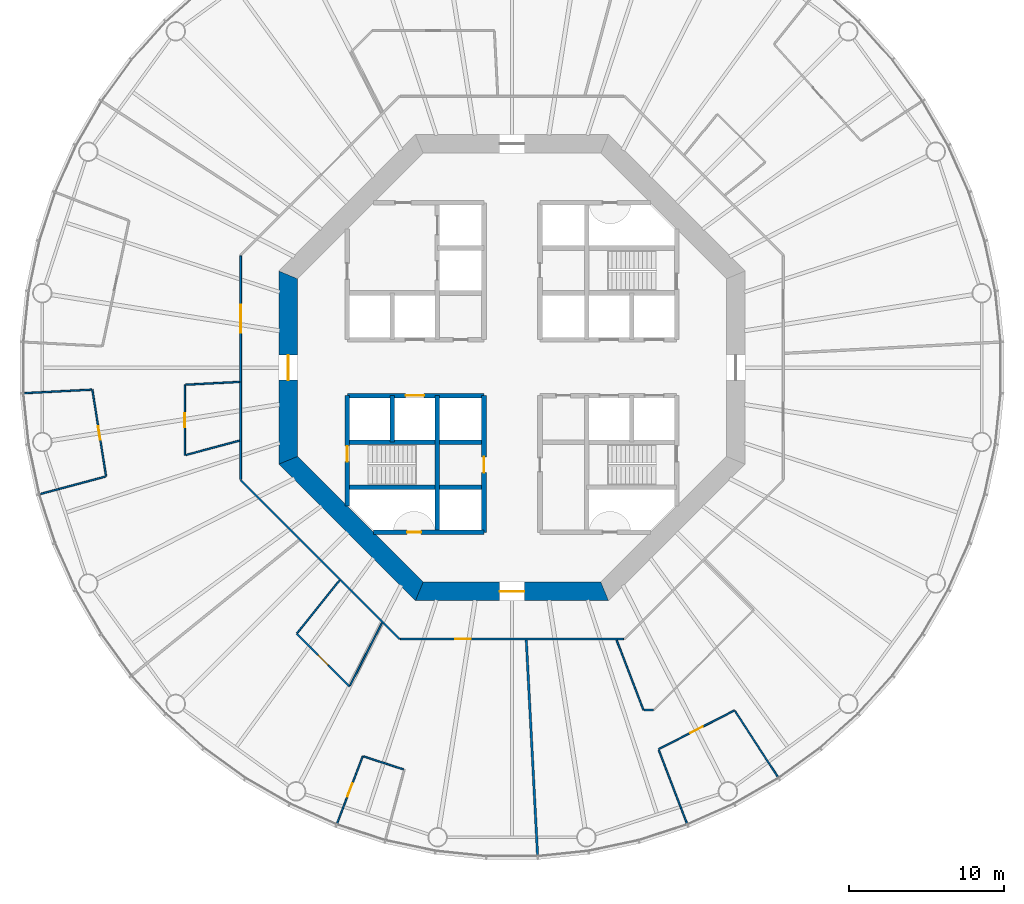
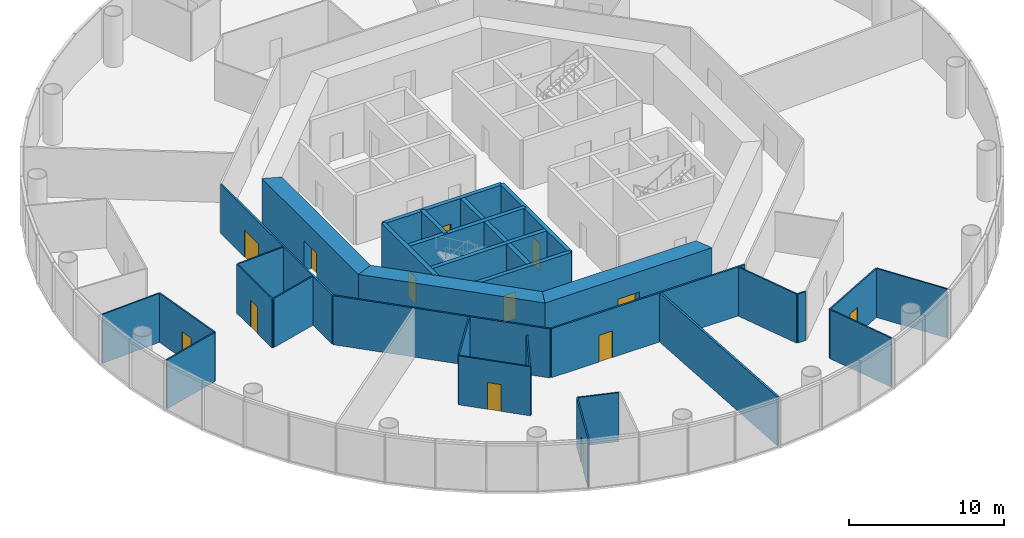
# One storey, part 3 of 13: 31 walls, 13 doors, 13 openings.
"""IFC4 building model written with IfcOpenShell, lengths in metres."""

from ifc_helpers import new_model, si_unit, direction, frame, frame_2d, origin, place, context, subcontext, project, spatial, polyline, rectangle, outline, extrude, material, layer, layer_set, type_object, element, fill, save


model = new_model("IFC4")

# Units and contexts
model_context = context("Model", 3, precision=1e-05, world=origin(), true_north=direction((0.0, 1.0)))
body_context = subcontext(model_context, "Body", "Model", "MODEL_VIEW")
ifc_project = project(units=[si_unit("LENGTHUNIT", "METRE"), si_unit("AREAUNIT", "SQUARE_METRE"), si_unit("VOLUMEUNIT", "CUBIC_METRE"), si_unit("PLANEANGLEUNIT", "RADIAN"), si_unit("MASSUNIT", "GRAM", prefix="KILO")], contexts=[model_context])

# Site, building, storey
site_placement = place(None, origin())
site = spatial("IfcSite", under=ifc_project, at=site_placement, CompositionType="ELEMENT")
building_placement = place(site_placement, origin())
building = spatial("IfcBuilding", under=site, at=building_placement, Name="Entoto Ring Tower", CompositionType="ELEMENT")
storey_placement = place(building_placement, frame((0.0, 0.0, 100.0)))
storey = spatial("IfcBuildingStorey", under=building, at=storey_placement, Name="L22", CompositionType="ELEMENT", Elevation=100.0)

# Wall, opening, door
ifc_material_1 = material(Name="Concrete C40/50", Category="concrete")
ifc_layer_1 = layer(ifc_material_1, 0.300048828125)
ifc_layer_set_1 = layer_set([ifc_layer_1], Name="Concrete C40/50")
wall_type_1 = type_object("IfcWallType", Name="Core enclosure wall 300 mm reinforced concrete", PredefinedType="SOLIDWALL", material=ifc_layer_set_1)
wall_1_placement = place(storey_placement, frame((88.199951171875, 69.39990234375, 0.0), z_axis=(0.0, 0.0, 1.0), x_axis=(0.0, 1.0, 0.0)))
wall_1 = element("IfcWall", 1, at=wall_1_placement, inside=storey, type_object=wall_type_1, Name="wall-L22-009", PredefinedType="SOLIDWALL", context=body_context, shape_type="SweptSolid", body=[
    extrude(rectangle(XDim=8.800048828125, YDim=0.300048828125, at=frame_2d((4.39990234375, 0.0))), origin(), (0.0, 0.0, 1.0), 3.85009765625),
])
opening_1_placement = place(wall_1_placement, frame((3.85009765625, 0.0, 0.0)))
opening_1 = element("IfcOpeningElement", 2, at=opening_1_placement, cuts=wall_1, Name="Opening K-13", PredefinedType="OPENING", context=body_context, shape_type="SweptSolid", body=[
    extrude(rectangle(XDim=1.0, YDim=2.10009765625, at=frame_2d((0.5, 1.050048828125))), frame((0.0, 0.16015625, 0.0), z_axis=(0.0, -1.0, 0.0), x_axis=(1.0, 0.0, 0.0)), (0.0, 0.0, 1.0), 0.320068359375),
])
ifc_material_2 = material(Name="Steel door leaf, fire rated", Category="steel")
ifc_layer_2 = layer(ifc_material_2, 0.050048828125)
ifc_layer_set_2 = layer_set([ifc_layer_2], Name="Steel door leaf, fire rated")
door_type_1 = type_object("IfcDoorType", Name="Accessible door 1000 x 2100 single leaf", OperationType="NOTDEFINED", PredefinedType="DOOR", material=ifc_layer_set_2)
door_1_placement = place(opening_1_placement, origin())
door_1 = element("IfcDoor", 3, at=door_1_placement, inside=storey, type_object=door_type_1, Name="Door K-13", OperationType="SINGLE_SWING_LEFT", OverallHeight=2.10009765625, OverallWidth=1.0, PredefinedType="DOOR", context=body_context, shape_type="SweptSolid", body=[
    extrude(rectangle(XDim=1.0, YDim=2.10009765625, at=frame_2d((0.5, 1.050048828125))), frame((0.0, 0.02490234375, 0.0), z_axis=(0.0, -1.0, 0.0), x_axis=(1.0, 0.0, 0.0)), (0.0, 0.0, 1.0), 0.050048828125),
])
fill(opening_1, door_1)

# Walls
wall_2_placement = place(storey_placement, frame((85.199951171875, 69.39990234375, 0.0), z_axis=(0.0, 0.0, 1.0), x_axis=(0.0, 1.0, 0.0)))
element("IfcWall", 4, at=wall_2_placement, inside=storey, type_object=wall_type_1, Name="wall-L22-011", PredefinedType="SOLIDWALL", context=body_context, shape_type="SweptSolid", body=[
    extrude(rectangle(XDim=8.800048828125, YDim=0.300048828125, at=frame_2d((4.39990234375, 0.0))), origin(), (0.0, 0.0, 1.0), 3.85009765625),
])
wall_3_placement = place(storey_placement, frame((82.300048828125, 75.199951171875, 0.0), z_axis=(0.0, 0.0, 1.0), x_axis=(0.0, 1.0, 0.0)))
element("IfcWall", 5, at=wall_3_placement, inside=storey, type_object=wall_type_1, Name="wall-L22-013", PredefinedType="SOLIDWALL", context=body_context, shape_type="SweptSolid", body=[
    extrude(rectangle(XDim=3.0, YDim=0.300048828125, at=frame_2d((1.5, 0.0))), origin(), (0.0, 0.0, 1.0), 3.85009765625),
])

# Wall, opening, door
wall_4_placement = place(storey_placement, frame((79.39990234375, 71.083984375, 0.0), z_axis=(0.0, 0.0, 1.0), x_axis=(0.0, 1.0, 0.0)))
wall_4 = element("IfcWall", 6, at=wall_4_placement, inside=storey, type_object=wall_type_1, Name="wall-L22-015", PredefinedType="SOLIDWALL", context=body_context, shape_type="SweptSolid", body=[
    extrude(rectangle(XDim=7.115966796875, YDim=0.300048828125, at=frame_2d((3.55810546875, 0.0))), origin(), (0.0, 0.0, 1.0), 3.85009765625),
])
opening_2_placement = place(wall_4_placement, frame((2.8662109375, 0.0, 0.0)))
opening_2 = element("IfcOpeningElement", 7, at=opening_2_placement, cuts=wall_4, Name="Opening K-17", PredefinedType="OPENING", context=body_context, shape_type="SweptSolid", body=[
    extrude(rectangle(XDim=1.0, YDim=2.10009765625, at=frame_2d((0.5, 1.050048828125))), frame((0.0, 0.16015625, 0.0), z_axis=(0.0, -1.0, 0.0), x_axis=(1.0, 0.0, 0.0)), (0.0, 0.0, 1.0), 0.320068359375),
])
ifc_material_3 = material(Name="Steel door leaf, fire rated", Category="steel")
ifc_layer_3 = layer(ifc_material_3, 0.050048828125)
ifc_layer_set_3 = layer_set([ifc_layer_3], Name="Steel door leaf, fire rated")
door_type_2 = type_object("IfcDoorType", Name="Fire door FD60 1000 x 2100 single leaf", OperationType="NOTDEFINED", PredefinedType="DOOR", material=ifc_layer_set_3)
door_2_placement = place(opening_2_placement, frame((1.0, 0.0, 0.0), z_axis=(0.0, 0.0, 1.0), x_axis=(-1.0, 0.0, 0.0)))
door_2 = element("IfcDoor", 8, at=door_2_placement, inside=storey, type_object=door_type_2, Name="Door K-17", OperationType="SINGLE_SWING_LEFT", OverallHeight=2.10009765625, OverallWidth=1.0, PredefinedType="DOOR", context=body_context, shape_type="SweptSolid", body=[
    extrude(rectangle(XDim=1.0, YDim=2.10009765625, at=frame_2d((0.5, 1.050048828125))), frame((0.0, 0.02490234375, 0.0), z_axis=(0.0, -1.0, 0.0), x_axis=(1.0, 0.0, 0.0)), (0.0, 0.0, 1.0), 0.050048828125),
])
fill(opening_2, door_2)

wall_5_placement = place(storey_placement, frame((81.083984375, 69.39990234375, 0.0), z_axis=(0.0, 0.0, 1.0), x_axis=(1.0, 0.0, 0.0)))
wall_5 = element("IfcWall", 9, at=wall_5_placement, inside=storey, type_object=wall_type_1, Name="wall-L22-017", PredefinedType="SOLIDWALL", context=body_context, shape_type="SweptSolid", body=[
    extrude(rectangle(XDim=7.115966796875, YDim=0.300048828125, at=frame_2d((3.55810546875, 0.0))), origin(), (0.0, 0.0, 1.0), 3.85009765625),
])
opening_3_placement = place(wall_5_placement, frame((2.166015625, 0.0, 0.0)))
opening_3 = element("IfcOpeningElement", 10, at=opening_3_placement, cuts=wall_5, Name="Opening K-20", PredefinedType="OPENING", context=body_context, shape_type="SweptSolid", body=[
    extrude(rectangle(XDim=0.89990234375, YDim=2.10009765625, at=frame_2d((0.449951171875, 1.050048828125))), frame((0.0, 0.16015625, 0.0), z_axis=(0.0, -1.0, 0.0), x_axis=(1.0, 0.0, 0.0)), (0.0, 0.0, 1.0), 0.320068359375),
])
ifc_material_4 = material(Name="Steel door leaf, fire rated", Category="steel")
ifc_layer_4 = layer(ifc_material_4, 0.050048828125)
ifc_layer_set_4 = layer_set([ifc_layer_4], Name="Steel door leaf, fire rated")
door_type_3 = type_object("IfcDoorType", Name="Riser door FD60 900 x 2100 single leaf", OperationType="NOTDEFINED", PredefinedType="DOOR", material=ifc_layer_set_4)
door_3_placement = place(opening_3_placement, origin())
door_3 = element("IfcDoor", 11, at=door_3_placement, inside=storey, type_object=door_type_3, Name="Door K-20", OperationType="SINGLE_SWING_RIGHT", OverallHeight=2.10009765625, OverallWidth=0.89990234375, PredefinedType="DOOR", context=body_context, shape_type="SweptSolid", body=[
    extrude(rectangle(XDim=0.89990234375, YDim=2.10009765625, at=frame_2d((0.449951171875, 1.050048828125))), frame((0.0, 0.02490234375, 0.0), z_axis=(0.0, -1.0, 0.0), x_axis=(1.0, 0.0, 0.0)), (0.0, 0.0, 1.0), 0.050048828125),
])
fill(opening_3, door_3)

# Walls
for number, where, z_axis, x_axis, name in (
    (12, (79.39990234375, 72.300048828125, 0.0), (0.0, 0.0, 1.0), (1.0, 0.0, 0.0), "wall-L22-019"),
    (13, (79.39990234375, 75.199951171875, 0.0), (0.0, 0.0, 1.0), (1.0, 0.0, 0.0), "wall-L22-021"),
):
    element("IfcWall", number, at=place(storey_placement, frame(where, z_axis=z_axis, x_axis=x_axis)), inside=storey, type_object=wall_type_1, Name=name, PredefinedType="SOLIDWALL", context=body_context, shape_type="SweptSolid", body=[
        extrude(rectangle(XDim=8.800048828125, YDim=0.300048828125, at=frame_2d((4.39990234375, 0.0))), origin(), (0.0, 0.0, 1.0), 3.85009765625),
    ])

# Wall, opening, door
wall_6_placement = place(storey_placement, frame((79.39990234375, 78.199951171875, 0.0), z_axis=(0.0, 0.0, 1.0), x_axis=(1.0, 0.0, 0.0)))
wall_6 = element("IfcWall", 14, at=wall_6_placement, inside=storey, type_object=wall_type_1, Name="wall-L22-023", PredefinedType="SOLIDWALL", context=body_context, shape_type="SweptSolid", body=[
    extrude(rectangle(XDim=8.800048828125, YDim=0.300048828125, at=frame_2d((4.39990234375, 0.0))), origin(), (0.0, 0.0, 1.0), 3.85009765625),
])
opening_4_placement = place(wall_6_placement, frame((3.75, 0.0, 0.0)))
opening_4 = element("IfcOpeningElement", 15, at=opening_4_placement, cuts=wall_6, Name="Opening LD", PredefinedType="OPENING", context=body_context, shape_type="SweptSolid", body=[
    extrude(rectangle(XDim=1.199951171875, YDim=2.10009765625, at=frame_2d((0.60009765625, 1.050048828125))), frame((0.0, 0.16015625, 0.0), z_axis=(0.0, -1.0, 0.0), x_axis=(1.0, 0.0, 0.0)), (0.0, 0.0, 1.0), 0.320068359375),
])
ifc_material_5 = material(Name="Steel and glass door leaf", Category="steel")
ifc_layer_5 = layer(ifc_material_5, 0.050048828125)
ifc_layer_set_5 = layer_set([ifc_layer_5], Name="Steel and glass door leaf")
door_type_4 = type_object("IfcDoorType", Name="Landing door 1200 x 2100 sliding", OperationType="DOUBLE_DOOR_SLIDING", PredefinedType="DOOR", material=ifc_layer_set_5)
door_4_placement = place(opening_4_placement, origin())
door_4 = element("IfcDoor", 16, at=door_4_placement, inside=storey, type_object=door_type_4, Name="Landing door LB6-LR", OperationType="SLIDING_TO_RIGHT", OverallHeight=2.10009765625, OverallWidth=1.199951171875, PredefinedType="DOOR", context=body_context, shape_type="SweptSolid", body=[
    extrude(rectangle(XDim=1.199951171875, YDim=2.10009765625, at=frame_2d((0.60009765625, 1.050048828125))), frame((0.0, 0.02490234375, 0.0), z_axis=(0.0, -1.0, 0.0), x_axis=(1.0, 0.0, 0.0)), (0.0, 0.0, 1.0), 0.050048828125),
])
fill(opening_4, door_4)

ifc_material_6 = material(Name="Concrete C60/75", Category="concrete")
ifc_layer_6 = layer(ifc_material_6, 1.199951171875)
ifc_layer_set_6 = layer_set([ifc_layer_6], Name="Concrete C60/75")
wall_type_2 = type_object("IfcWallType", Name="Core shear wall 1200 mm reinforced concrete C60/75", PredefinedType="SHEAR", material=ifc_layer_set_6)
wall_7_placement = place(storey_placement, frame((75.60009765625, 85.964599609375, 0.0), z_axis=(0.0, 0.0, 1.0), x_axis=(0.0, -1.0, 0.0)))
wall_7 = element("IfcWall", 17, at=wall_7_placement, inside=storey, type_object=wall_type_2, Name="wall-L22-core-4", PredefinedType="SHEAR", context=body_context, shape_type="SweptSolid", body=[
    extrude(outline(polyline([(-0.24853515625, -0.60009765625), (12.177734375, -0.60009765625), (11.6806640625, 0.60009765625), (0.24853515625, 0.60009765625), (-0.24853515625, -0.60009765625)])), origin(), (0.0, 0.0, 1.0), 4.0),
])
opening_5_placement = place(wall_7_placement, frame((5.164794921875, 0.0, 0.0)))
opening_5 = element("IfcOpeningElement", 18, at=opening_5_placement, cuts=wall_7, Name="Opening K-03", PredefinedType="OPENING", context=body_context, shape_type="SweptSolid", body=[
    extrude(rectangle(XDim=1.60009765625, YDim=2.39990234375, at=frame_2d((0.800048828125, 1.199951171875))), frame((0.0, 0.60986328125, 0.0), z_axis=(0.0, -1.0, 0.0), x_axis=(1.0, 0.0, 0.0)), (0.0, 0.0, 1.0), 1.219970703125),
])
ifc_material_7 = material(Name="Steel door leaf, fire rated", Category="steel")
ifc_layer_7 = layer(ifc_material_7, 0.050048828125)
ifc_layer_set_7 = layer_set([ifc_layer_7], Name="Steel door leaf, fire rated")
door_type_5 = type_object("IfcDoorType", Name="Entrance door FD60 1600 x 2400 double leaf", OperationType="DOUBLE_DOOR_SINGLE_SWING", PredefinedType="DOOR", material=ifc_layer_set_7)
door_5_placement = place(opening_5_placement, origin())
door_5 = element("IfcDoor", 19, at=door_5_placement, inside=storey, type_object=door_type_5, Name="Entrance door K-03", OperationType="DOUBLE_DOOR_SINGLE_SWING", OverallHeight=2.39990234375, OverallWidth=1.60009765625, PredefinedType="DOOR", context=body_context, shape_type="SweptSolid", body=[
    extrude(rectangle(XDim=1.60009765625, YDim=2.39990234375, at=frame_2d((0.800048828125, 1.199951171875))), frame((0.0, 0.02490234375, 0.0), z_axis=(0.0, -1.0, 0.0), x_axis=(1.0, 0.0, 0.0)), (0.0, 0.0, 1.0), 0.050048828125),
])
fill(opening_5, door_5)

# Wall
wall_8_placement = place(storey_placement, frame((75.60009765625, 74.035400390625, 0.0), z_axis=(0.0, 0.0, 1.0), x_axis=(0.707106781187, -0.707106781187, 0.0)))
element("IfcWall", 20, at=wall_8_placement, inside=storey, type_object=wall_type_2, Name="wall-L22-core-5", PredefinedType="SHEAR", context=body_context, shape_type="SweptSolid", body=[
    extrude(outline(polyline([(-0.24853515625, -0.60009765625), (12.177734375, -0.60009765625), (11.6806640625, 0.60009765625), (0.24853515625, 0.60009765625), (-0.24853515625, -0.60009765625)])), origin(), (0.0, 0.0, 1.0), 4.0),
])

# Wall, opening, door
wall_9_placement = place(storey_placement, frame((84.035400390625, 65.60009765625, 0.0), z_axis=(0.0, 0.0, 1.0), x_axis=(1.0, 0.0, 0.0)))
wall_9 = element("IfcWall", 21, at=wall_9_placement, inside=storey, type_object=wall_type_2, Name="wall-L22-core-6", PredefinedType="SHEAR", context=body_context, shape_type="SweptSolid", body=[
    extrude(outline(polyline([(-0.24853515625, -0.60009765625), (12.177734375, -0.60009765625), (11.6806640625, 0.60009765625), (0.24853515625, 0.60009765625), (-0.24853515625, -0.60009765625)])), origin(), (0.0, 0.0, 1.0), 4.0),
])
opening_6_placement = place(wall_9_placement, frame((5.164794921875, 0.0, 0.0)))
opening_6 = element("IfcOpeningElement", 22, at=opening_6_placement, cuts=wall_9, Name="Opening K-04", PredefinedType="OPENING", context=body_context, shape_type="SweptSolid", body=[
    extrude(rectangle(XDim=1.60009765625, YDim=2.39990234375, at=frame_2d((0.800048828125, 1.199951171875))), frame((0.0, 0.60986328125, 0.0), z_axis=(0.0, -1.0, 0.0), x_axis=(1.0, 0.0, 0.0)), (0.0, 0.0, 1.0), 1.219970703125),
])
door_6_placement = place(opening_6_placement, origin())
door_6 = element("IfcDoor", 23, at=door_6_placement, inside=storey, type_object=door_type_5, Name="Entrance door K-04", OperationType="DOUBLE_DOOR_SINGLE_SWING", OverallHeight=2.39990234375, OverallWidth=1.60009765625, PredefinedType="DOOR", context=body_context, shape_type="SweptSolid", body=[
    extrude(rectangle(XDim=1.60009765625, YDim=2.39990234375, at=frame_2d((0.800048828125, 1.199951171875))), frame((0.0, 0.02490234375, 0.0), z_axis=(0.0, -1.0, 0.0), x_axis=(1.0, 0.0, 0.0)), (0.0, 0.0, 1.0), 0.050048828125),
])
fill(opening_6, door_6)

# Wall
ifc_material_8 = material(Name="Fire-resisting plasterboard on steel studs", Category="steel")
ifc_layer_8 = layer(ifc_material_8, 0.125)
ifc_layer_set_8 = layer_set([ifc_layer_8], Name="Fire-resisting plasterboard on steel studs")
wall_type_3 = type_object("IfcWallType", Name="Corridor wall 125 mm one-hour plasterboard on steel studs", PredefinedType="PARTITIONING", material=ifc_layer_set_8)
wall_10_placement = place(storey_placement, frame((82.766845703125, 62.53759765625, 0.0), z_axis=(0.0, 0.0, 1.0), x_axis=(-0.707106781187, 0.707106781187, 0.0)))
element("IfcWall", 24, at=wall_10_placement, inside=storey, type_object=wall_type_3, Name="partition-L22-002", PredefinedType="PARTITIONING", context=body_context, shape_type="SweptSolid", body=[
    extrude(rectangle(XDim=14.46630859375, YDim=0.125, at=frame_2d((7.233154296875, 0.0))), origin(), (0.0, 0.0, 1.0), 3.85009765625),
])

# Wall, opening, door
wall_11_placement = place(storey_placement, frame((72.53759765625, 72.810791015625, 0.0), z_axis=(0.0, 0.0, 1.0), x_axis=(0.0, 1.0, 0.0)))
wall_11 = element("IfcWall", 25, at=wall_11_placement, inside=storey, type_object=wall_type_3, Name="partition-L22-005", PredefinedType="PARTITIONING", context=body_context, shape_type="SweptSolid", body=[
    extrude(rectangle(XDim=14.37841796875, YDim=0.125, at=frame_2d((7.189208984375, 0.0))), origin(), (0.0, 0.0, 1.0), 3.85009765625),
])
opening_7_placement = place(wall_11_placement, frame((9.4482421875, 0.0, 0.0)))
opening_7 = element("IfcOpeningElement", 26, at=opening_7_placement, cuts=wall_11, Name="Opening A09-D10", PredefinedType="OPENING", context=body_context, shape_type="SweptSolid", body=[
    extrude(rectangle(XDim=1.800048828125, YDim=2.10009765625, at=frame_2d((0.89990234375, 1.050048828125))), frame((0.0, 0.072509765625, 0.0), z_axis=(0.0, -1.0, 0.0), x_axis=(1.0, 0.0, 0.0)), (0.0, 0.0, 1.0), 0.14501953125),
])
ifc_material_9 = material(Name="Fire-resisting timber door set", Category="wood")
door_type_6 = type_object("IfcDoorType", Name="Door 1800 x 2100 double leaf FD30S fire door", OperationType="DOUBLE_DOOR_SINGLE_SWING", PredefinedType="DOOR", material=ifc_material_9)
door_7_placement = place(opening_7_placement, origin())
door_7 = element("IfcDoor", 27, at=door_7_placement, inside=storey, type_object=door_type_6, Name="Door A09-D10", OperationType="DOUBLE_DOOR_SINGLE_SWING", OverallHeight=2.10009765625, OverallWidth=1.800048828125, PredefinedType="DOOR", context=body_context, shape_type="SweptSolid", body=[
    extrude(rectangle(XDim=1.800048828125, YDim=2.10009765625, at=frame_2d((0.89990234375, 1.050048828125))), frame((0.0, 0.02490234375, 0.0), z_axis=(0.0, -1.0, 0.0), x_axis=(1.0, 0.0, 0.0)), (0.0, 0.0, 1.0), 0.050048828125),
])
fill(opening_7, door_7)

wall_12_placement = place(storey_placement, frame((82.810791015625, 62.53759765625, 0.0), z_axis=(0.0, 0.0, 1.0), x_axis=(1.0, 0.0, 0.0)))
wall_12 = element("IfcWall", 28, at=wall_12_placement, inside=storey, type_object=wall_type_3, Name="partition-L22-006", PredefinedType="PARTITIONING", context=body_context, shape_type="SweptSolid", body=[
    extrude(rectangle(XDim=14.37841796875, YDim=0.125, at=frame_2d((7.189208984375, 0.0))), origin(), (0.0, 0.0, 1.0), 3.85009765625),
])
opening_8_placement = place(wall_12_placement, frame((3.5302734375, 0.0, 0.0)))
opening_8 = element("IfcOpeningElement", 29, at=opening_8_placement, cuts=wall_12, Name="Opening A09-D14", PredefinedType="OPENING", context=body_context, shape_type="SweptSolid", body=[
    extrude(rectangle(XDim=1.0, YDim=2.10009765625, at=frame_2d((0.5, 1.050048828125))), frame((0.0, 0.072509765625, 0.0), z_axis=(0.0, -1.0, 0.0), x_axis=(1.0, 0.0, 0.0)), (0.0, 0.0, 1.0), 0.14501953125),
])
ifc_material_10 = material(Name="Fire-resisting timber door set", Category="wood")
door_type_7 = type_object("IfcDoorType", Name="Door 1000 x 2100 single leaf FD30S fire door", OperationType="NOTDEFINED", PredefinedType="DOOR", material=ifc_material_10)
door_8_placement = place(opening_8_placement, frame((1.0, 0.0, 0.0), z_axis=(0.0, 0.0, 1.0), x_axis=(-1.0, 0.0, 0.0)))
door_8 = element("IfcDoor", 30, at=door_8_placement, inside=storey, type_object=door_type_7, Name="Door A09-D14", OperationType="SINGLE_SWING_LEFT", OverallHeight=2.10009765625, OverallWidth=1.0, PredefinedType="DOOR", context=body_context, shape_type="SweptSolid", body=[
    extrude(rectangle(XDim=1.0, YDim=2.10009765625, at=frame_2d((0.5, 1.050048828125))), frame((0.0, 0.02490234375, 0.0), z_axis=(0.0, -1.0, 0.0), x_axis=(1.0, 0.0, 0.0)), (0.0, 0.0, 1.0), 0.050048828125),
])
fill(opening_8, door_8)

ifc_material_11 = material(Name="Plasterboard on steel studs", Category="steel")
ifc_layer_9 = layer(ifc_material_11, 0.10009765625)
ifc_layer_set_9 = layer_set([ifc_layer_9], Name="Plasterboard on steel studs")
wall_type_4 = type_object("IfcWallType", Name="Partition 100 mm plasterboard on steel studs", PredefinedType="PARTITIONING", material=ifc_layer_set_9)
wall_13_placement = place(storey_placement, frame((63.88134765625, 73.00146484375, 0.0), z_axis=(0.0, 0.0, 1.0), x_axis=(-0.156430514492, 0.987688966292, 0.0)))
wall_13 = element("IfcWall", 31, at=wall_13_placement, inside=storey, type_object=wall_type_4, Name="partition-L22-018", PredefinedType="PARTITIONING", context=body_context, shape_type="SweptSolid", body=[
    extrude(rectangle(XDim=5.65283203125, YDim=0.10009765625, at=frame_2d((2.826416015625, 0.0))), origin(), (0.0, 0.0, 1.0), 3.85009765625),
])
opening_9_placement = place(wall_13_placement, frame((2.37646484375, 0.0, 0.0)))
opening_9 = element("IfcOpeningElement", 32, at=opening_9_placement, cuts=wall_13, Name="Opening A09-D13", PredefinedType="OPENING", context=body_context, shape_type="SweptSolid", body=[
    extrude(rectangle(XDim=0.89990234375, YDim=2.10009765625, at=frame_2d((0.449951171875, 1.050048828125))), frame((0.0, 0.06005859375, 0.0), z_axis=(0.0, -1.0, 0.0), x_axis=(1.0, 0.0, 0.0)), (0.0, 0.0, 1.0), 0.1201171875),
])
ifc_material_12 = material(Name="Veneered timber door leaf in timber frame", Category="wood")
door_type_8 = type_object("IfcDoorType", Name="Door 900 x 2100 single leaf timber veneer", OperationType="NOTDEFINED", PredefinedType="DOOR", material=ifc_material_12)
door_9_placement = place(opening_9_placement, origin())
door_9 = element("IfcDoor", 33, at=door_9_placement, inside=storey, type_object=door_type_8, Name="Door A09-D13", OperationType="SINGLE_SWING_LEFT", OverallHeight=2.10009765625, OverallWidth=0.89990234375, PredefinedType="DOOR", context=body_context, shape_type="SweptSolid", body=[
    extrude(rectangle(XDim=0.89990234375, YDim=2.10009765625, at=frame_2d((0.449951171875, 1.050048828125))), frame((0.0, 0.02490234375, 0.0), z_axis=(0.0, -1.0, 0.0), x_axis=(1.0, 0.0, 0.0)), (0.0, 0.0, 1.0), 0.050048828125),
])
fill(opening_9, door_9)

wall_14_placement = place(storey_placement, frame((99.425048828125, 55.44677734375, 0.0), z_axis=(0.0, 0.0, 1.0), x_axis=(0.890991035008, 0.454020897686, 0.0)))
wall_14 = element("IfcWall", 34, at=wall_14_placement, inside=storey, type_object=wall_type_4, Name="partition-L22-019", PredefinedType="PARTITIONING", context=body_context, shape_type="SweptSolid", body=[
    extrude(rectangle(XDim=5.498291015625, YDim=0.10009765625, at=frame_2d((2.7490234375, 0.0))), origin(), (0.0, 0.0, 1.0), 3.85009765625),
])
opening_10_placement = place(wall_14_placement, frame((2.299072265625, 0.0, 0.0)))
opening_10 = element("IfcOpeningElement", 35, at=opening_10_placement, cuts=wall_14, Name="Opening A09-D03", PredefinedType="OPENING", context=body_context, shape_type="SweptSolid", body=[
    extrude(rectangle(XDim=0.89990234375, YDim=2.10009765625, at=frame_2d((0.449951171875, 1.050048828125))), frame((0.0, 0.06005859375, 0.0), z_axis=(0.0, -1.0, 0.0), x_axis=(1.0, 0.0, 0.0)), (0.0, 0.0, 1.0), 0.1201171875),
])
door_10_placement = place(opening_10_placement, frame((0.89990234375, 0.0, 0.0), z_axis=(0.0, 0.0, 1.0), x_axis=(-1.0, 0.0, 0.0)))
door_10 = element("IfcDoor", 36, at=door_10_placement, inside=storey, type_object=door_type_8, Name="Door A09-D03", OperationType="SINGLE_SWING_LEFT", OverallHeight=2.10009765625, OverallWidth=0.89990234375, PredefinedType="DOOR", context=body_context, shape_type="SweptSolid", body=[
    extrude(rectangle(XDim=0.89990234375, YDim=2.10009765625, at=frame_2d((0.449951171875, 1.050048828125))), frame((0.0, 0.02490234375, 0.0), z_axis=(0.0, -1.0, 0.0), x_axis=(1.0, 0.0, 0.0)), (0.0, 0.0, 1.0), 0.050048828125),
])
fill(opening_10, door_10)

# Walls
wall_15_placement = place(storey_placement, frame((101.26708984375, 50.648193359375, 0.0), z_axis=(0.0, 0.0, 1.0), x_axis=(-0.358371567867, 0.933579037545, 0.0)))
element("IfcWall", 37, at=wall_15_placement, inside=storey, type_object=wall_type_4, Name="partition-L22-020", PredefinedType="PARTITIONING", context=body_context, shape_type="SweptSolid", body=[
    extrude(rectangle(XDim=5.09033203125, YDim=0.10009765625, at=frame_2d((2.545166015625, 0.0))), origin(), (0.0, 0.0, 1.0), 3.85009765625),
])
wall_16_placement = place(storey_placement, frame((107.12353515625, 53.632080078125, 0.0), z_axis=(0.0, 0.0, 1.0), x_axis=(-0.544632605998, 0.838674742963, 0.0)))
element("IfcWall", 38, at=wall_16_placement, inside=storey, type_object=wall_type_4, Name="partition-L22-021", PredefinedType="PARTITIONING", context=body_context, shape_type="SweptSolid", body=[
    extrude(rectangle(XDim=5.090576171875, YDim=0.10009765625, at=frame_2d((2.54541015625, 0.0))), origin(), (0.0, 0.0, 1.0), 3.85009765625),
])
wall_17_placement = place(storey_placement, frame((98.45751953125, 57.967529296875, 0.0), z_axis=(0.0, 0.0, 1.0), x_axis=(-0.358400708391, 0.933567850895, 0.0)))
element("IfcWall", 39, at=wall_17_placement, inside=storey, type_object=wall_type_4, Name="partition-L22-024", PredefinedType="PARTITIONING", context=body_context, shape_type="SweptSolid", body=[
    extrude(rectangle(XDim=4.809326171875, YDim=0.10009765625, at=frame_2d((2.40478515625, 0.0))), origin(), (0.0, 0.0, 1.0), 3.85009765625),
])

# Wall, opening, door
wall_18_placement = place(storey_placement, frame((79.544921875, 59.48046875, 0.0), z_axis=(0.0, 0.0, 1.0), x_axis=(-0.707132135057, 0.707081426407, 0.0)))
wall_18 = element("IfcWall", 40, at=wall_18_placement, inside=storey, type_object=wall_type_4, Name="partition-L22-027", PredefinedType="PARTITIONING", context=body_context, shape_type="SweptSolid", body=[
    extrude(rectangle(XDim=4.814697265625, YDim=0.10009765625, at=frame_2d((2.4072265625, 0.0))), origin(), (0.0, 0.0, 1.0), 3.85009765625),
])
opening_11_placement = place(wall_18_placement, frame((1.957275390625, 0.0, 0.0)))
opening_11 = element("IfcOpeningElement", 41, at=opening_11_placement, cuts=wall_18, Name="Opening A09-D15", PredefinedType="OPENING", context=body_context, shape_type="SweptSolid", body=[
    extrude(rectangle(XDim=0.89990234375, YDim=2.10009765625, at=frame_2d((0.449951171875, 1.050048828125))), frame((0.0, 0.06005859375, 0.0), z_axis=(0.0, -1.0, 0.0), x_axis=(1.0, 0.0, 0.0)), (0.0, 0.0, 1.0), 0.1201171875),
])
door_11_placement = place(opening_11_placement, frame((0.89990234375, 0.0, 0.0), z_axis=(0.0, 0.0, 1.0), x_axis=(-1.0, 0.0, 0.0)))
door_11 = element("IfcDoor", 42, at=door_11_placement, inside=storey, type_object=door_type_8, Name="Door A09-D15", OperationType="SINGLE_SWING_RIGHT", OverallHeight=2.10009765625, OverallWidth=0.89990234375, PredefinedType="DOOR", context=body_context, shape_type="SweptSolid", body=[
    extrude(rectangle(XDim=0.89990234375, YDim=2.10009765625, at=frame_2d((0.449951171875, 1.050048828125))), frame((0.0, 0.02490234375, 0.0), z_axis=(0.0, -1.0, 0.0), x_axis=(1.0, 0.0, 0.0)), (0.0, 0.0, 1.0), 0.050048828125),
])
fill(opening_11, door_11)

wall_19_placement = place(storey_placement, frame((78.73291015625, 50.648193359375, 0.0), z_axis=(0.0, 0.0, 1.0), x_axis=(0.358347077335, 0.93358843832, 0.0)))
wall_19 = element("IfcWall", 43, at=wall_19_placement, inside=storey, type_object=wall_type_4, Name="partition-L22-030", PredefinedType="PARTITIONING", context=body_context, shape_type="SweptSolid", body=[
    extrude(rectangle(XDim=4.66015625, YDim=0.10009765625, at=frame_2d((2.330078125, 0.0))), origin(), (0.0, 0.0, 1.0), 3.85009765625),
])
opening_12_placement = place(wall_19_placement, frame((1.8798828125, 0.0, 0.0)))
opening_12 = element("IfcOpeningElement", 44, at=opening_12_placement, cuts=wall_19, Name="Opening A09-D16", PredefinedType="OPENING", context=body_context, shape_type="SweptSolid", body=[
    extrude(rectangle(XDim=0.89990234375, YDim=2.10009765625, at=frame_2d((0.449951171875, 1.050048828125))), frame((0.0, 0.06005859375, 0.0), z_axis=(0.0, -1.0, 0.0), x_axis=(1.0, 0.0, 0.0)), (0.0, 0.0, 1.0), 0.1201171875),
])
door_12_placement = place(opening_12_placement, frame((0.89990234375, 0.0, 0.0), z_axis=(0.0, 0.0, 1.0), x_axis=(-1.0, 0.0, 0.0)))
door_12 = element("IfcDoor", 45, at=door_12_placement, inside=storey, type_object=door_type_8, Name="Door A09-D16", OperationType="SINGLE_SWING_RIGHT", OverallHeight=2.10009765625, OverallWidth=0.89990234375, PredefinedType="DOOR", context=body_context, shape_type="SweptSolid", body=[
    extrude(rectangle(XDim=0.89990234375, YDim=2.10009765625, at=frame_2d((0.449951171875, 1.050048828125))), frame((0.0, 0.02490234375, 0.0), z_axis=(0.0, -1.0, 0.0), x_axis=(1.0, 0.0, 0.0)), (0.0, 0.0, 1.0), 0.050048828125),
])
fill(opening_12, door_12)

wall_20_placement = place(storey_placement, frame((68.947509765625, 74.35888671875, 0.0), z_axis=(0.0, 0.0, 1.0), x_axis=(0.0, 1.0, 0.0)))
wall_20 = element("IfcWall", 46, at=wall_20_placement, inside=storey, type_object=wall_type_4, Name="partition-L22-034", PredefinedType="PARTITIONING", context=body_context, shape_type="SweptSolid", body=[
    extrude(rectangle(XDim=4.537841796875, YDim=0.10009765625, at=frame_2d((2.26904296875, 0.0))), origin(), (0.0, 0.0, 1.0), 3.85009765625),
])
opening_13_placement = place(wall_20_placement, frame((1.81884765625, 0.0, 0.0)))
opening_13 = element("IfcOpeningElement", 47, at=opening_13_placement, cuts=wall_20, Name="Opening A09-D11", PredefinedType="OPENING", context=body_context, shape_type="SweptSolid", body=[
    extrude(rectangle(XDim=0.89990234375, YDim=2.10009765625, at=frame_2d((0.449951171875, 1.050048828125))), frame((0.0, 0.06005859375, 0.0), z_axis=(0.0, -1.0, 0.0), x_axis=(1.0, 0.0, 0.0)), (0.0, 0.0, 1.0), 0.1201171875),
])
door_13_placement = place(opening_13_placement, frame((0.89990234375, 0.0, 0.0), z_axis=(0.0, 0.0, 1.0), x_axis=(-1.0, 0.0, 0.0)))
door_13 = element("IfcDoor", 48, at=door_13_placement, inside=storey, type_object=door_type_8, Name="Door A09-D11", OperationType="SINGLE_SWING_RIGHT", OverallHeight=2.10009765625, OverallWidth=0.89990234375, PredefinedType="DOOR", context=body_context, shape_type="SweptSolid", body=[
    extrude(rectangle(XDim=0.89990234375, YDim=2.10009765625, at=frame_2d((0.449951171875, 1.050048828125))), frame((0.0, 0.02490234375, 0.0), z_axis=(0.0, -1.0, 0.0), x_axis=(1.0, 0.0, 0.0)), (0.0, 0.0, 1.0), 0.050048828125),
])
fill(opening_13, door_13)

# Walls
wall_21_placement = place(storey_placement, frame((76.171630859375, 62.92333984375, 0.0), z_axis=(0.0, 0.0, 1.0), x_axis=(0.629287090395, 0.777172926615, 0.0)))
element("IfcWall", 49, at=wall_21_placement, inside=storey, type_object=wall_type_4, Name="partition-L22-035", PredefinedType="PARTITIONING", context=body_context, shape_type="SweptSolid", body=[
    extrude(rectangle(XDim=4.3466796875, YDim=0.10009765625, at=frame_2d((2.17333984375, 0.0))), origin(), (0.0, 0.0, 1.0), 3.85009765625),
])
for number, where, z_axis, x_axis, name in (
    (50, (59.63134765625, 71.86279296875, 0.0), (0.0, 0.0, 1.0), (0.965925005542, 0.258822108155, 0.0), "partition-L22-037"),
    (51, (58.60302734375, 78.3544921875, 0.0), (0.0, 0.0, 1.0), (0.99862835084, 0.0523585418, 0.0), "partition-L22-038"),
):
    element("IfcWall", number, at=place(storey_placement, frame(where, z_axis=z_axis, x_axis=x_axis)), inside=storey, type_object=wall_type_4, Name=name, PredefinedType="PARTITIONING", context=body_context, shape_type="SweptSolid", body=[
        extrude(rectangle(XDim=4.350341796875, YDim=0.10009765625, at=frame_2d((2.17529296875, 0.0))), origin(), (0.0, 0.0, 1.0), 3.85009765625),
    ])
wall_22_placement = place(storey_placement, frame((69.01025390625, 74.375732421875, 0.0), z_axis=(0.0, 0.0, 1.0), x_axis=(0.965917860746, 0.258848771085, 0.0)))
element("IfcWall", 52, at=wall_22_placement, inside=storey, type_object=wall_type_4, Name="partition-L22-041", PredefinedType="PARTITIONING", context=body_context, shape_type="SweptSolid", body=[
    extrude(rectangle(XDim=3.57373046875, YDim=0.10009765625, at=frame_2d((1.786865234375, 0.0))), origin(), (0.0, 0.0, 1.0), 3.85009765625),
])
wall_23_placement = place(storey_placement, frame((68.997314453125, 78.8994140625, 0.0), z_axis=(0.0, 0.0, 1.0), x_axis=(0.998633097748, 0.052267925939, 0.0)))
element("IfcWall", 53, at=wall_23_placement, inside=storey, type_object=wall_type_4, Name="partition-L22-042", PredefinedType="PARTITIONING", context=body_context, shape_type="SweptSolid", body=[
    extrude(rectangle(XDim=3.479736328125, YDim=0.10009765625, at=frame_2d((1.73974609375, 0.0))), origin(), (0.0, 0.0, 1.0), 3.85009765625),
])
wall_24_placement = place(storey_placement, frame((83.021240234375, 54.14794921875, 0.0), z_axis=(0.0, 0.0, 1.0), x_axis=(-0.951040705732, 0.309065650049, 0.0)))
element("IfcWall", 54, at=wall_24_placement, inside=storey, type_object=wall_type_4, Name="partition-L22-045", PredefinedType="PARTITIONING", context=body_context, shape_type="SweptSolid", body=[
    extrude(rectangle(XDim=2.703125, YDim=0.10009765625, at=frame_2d((1.3515625, 0.0))), origin(), (0.0, 0.0, 1.0), 3.85009765625),
])
wall_25_placement = place(storey_placement, frame((98.50390625, 57.967529296875, 0.0), z_axis=(0.0, 0.0, 1.0), x_axis=(1.0, 0.0, 0.0)))
element("IfcWall", 55, at=wall_25_placement, inside=storey, type_object=wall_type_4, Name="partition-L22-048", PredefinedType="PARTITIONING", context=body_context, shape_type="SweptSolid", body=[
    extrude(rectangle(XDim=0.587158203125, YDim=0.10009765625, at=frame_2d((0.29345703125, 0.0))), origin(), (0.0, 0.0, 1.0), 3.85009765625),
])
ifc_material_13 = material(Name="Plasterboard on steel studs", Category="steel")
ifc_layer_10 = layer(ifc_material_13, 0.10009765625)
ifc_layer_set_10 = layer_set([ifc_layer_10], Name="Plasterboard on steel studs")
wall_type_5 = type_object("IfcWallType", Name="Partition 100 mm plasterboard on steel studs, 3097 mm high", PredefinedType="PARTITIONING", material=ifc_layer_set_10)
wall_26_placement = place(storey_placement, frame((79.575927734375, 59.54150390625, 0.0), z_axis=(0.0, 0.0, 1.0), x_axis=(0.454009154691, 0.89099701877, 0.0)))
element("IfcWall", 56, at=wall_26_placement, inside=storey, type_object=wall_type_5, Name="partition-L22-028", PredefinedType="PARTITIONING", context=body_context, shape_type="SweptSolid", body=[
    extrude(rectangle(XDim=4.51806640625, YDim=0.10009765625, at=frame_2d((2.259033203125, 0.0))), origin(), (0.0, 0.0, 1.0), 3.096923828125),
])
ifc_material_14 = material(Name="Fire-resisting acoustic plasterboard on steel studs", Category="steel")
ifc_layer_11 = layer(ifc_material_14, 0.14990234375)
ifc_layer_set_11 = layer_set([ifc_layer_11], Name="Fire-resisting acoustic plasterboard on steel studs")
wall_type_6 = type_object("IfcWallType", Name="Party wall 150 mm one-hour acoustic plasterboard on steel studs", PredefinedType="PARTITIONING", material=ifc_layer_set_11)
wall_27_placement = place(storey_placement, frame((91.6455078125, 48.60302734375, 0.0), z_axis=(0.0, 0.0, 1.0), x_axis=(-0.052336456006, 0.998629508563, 0.0)))
element("IfcWall", 57, at=wall_27_placement, inside=storey, type_object=wall_type_6, Name="partition-L22-009", PredefinedType="PARTITIONING", context=body_context, shape_type="SweptSolid", body=[
    extrude(rectangle(XDim=13.88720703125, YDim=0.14990234375, at=frame_2d((6.943603515625, 0.0))), origin(), (0.0, 0.0, 1.0), 3.85009765625),
])

save(model, "model.ifc")
